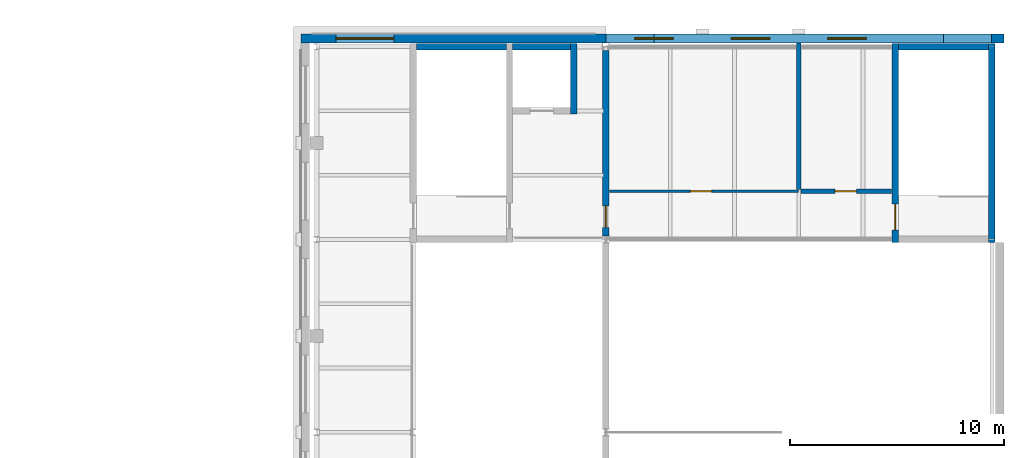
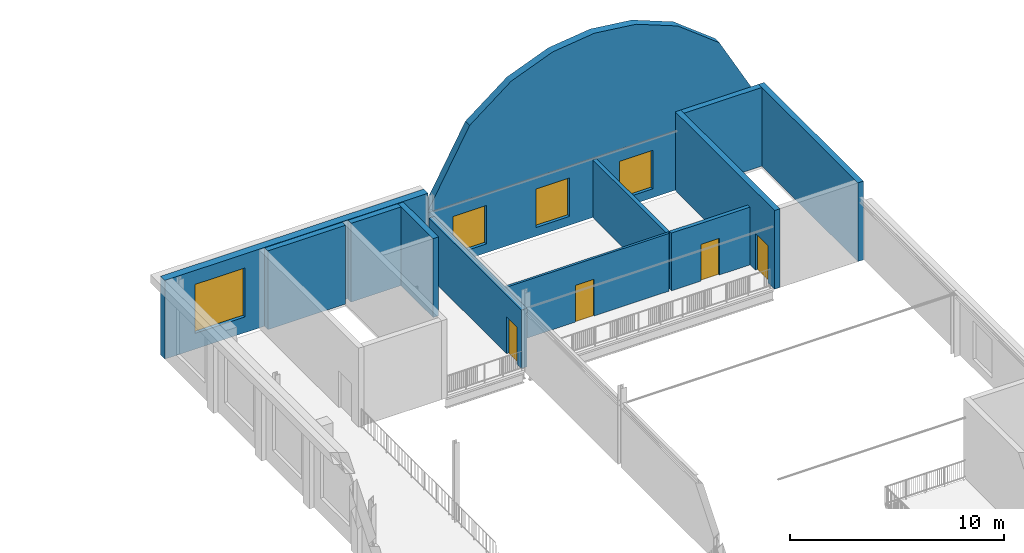
# One storey, part 29 of 59: 13 walls, 4 doors, 4 windows, 8 openings.
"""IFC4 building model written with IfcOpenShell, lengths in metres."""

from ifc_helpers import new_model, si_unit, direction, frame, frame_2d, origin, place, context, subcontext, project, spatial, polyline, rectangle, outline, extrude, material, layer, layer_set, type_object, element, fill, save


model = new_model("IFC4")

# Units and contexts
model_context = context("Model", 3, precision=1e-05, world=origin(), true_north=direction((0.0, 1.0)))
body_context = subcontext(model_context, "Body", "Model", "MODEL_VIEW")
ifc_project = project(units=[si_unit("LENGTHUNIT", "METRE"), si_unit("AREAUNIT", "SQUARE_METRE"), si_unit("VOLUMEUNIT", "CUBIC_METRE"), si_unit("PLANEANGLEUNIT", "RADIAN"), si_unit("MASSUNIT", "GRAM", prefix="KILO")], contexts=[model_context])

# Site, building, storey
site_placement = place(None, origin())
site = spatial("IfcSite", under=ifc_project, at=site_placement, CompositionType="ELEMENT")
building_placement = place(site_placement, origin())
building = spatial("IfcBuilding", under=site, at=building_placement, Name="Hortulan Conservatory and Botanical Research Centre", CompositionType="ELEMENT")
storey_placement = place(building_placement, frame((0.0, 0.0, 10.5)))
storey = spatial("IfcBuildingStorey", under=building, at=storey_placement, Name="L02", CompositionType="ELEMENT", Elevation=10.5)

# Wall, opening, door
ifc_material_1 = material(Name="Brick masonry with acoustic lining", Category="masonry")
ifc_layer_1 = layer(ifc_material_1, 0.300048828125)
ifc_layer_set_1 = layer_set([ifc_layer_1], Name="Acoustic Hall Wall 300")
wall_type_1 = type_object("IfcWallType", Name="Acoustic Hall Wall 300", PredefinedType="STANDARD", material=ifc_layer_set_1)
wall_1_placement = place(storey_placement, frame((90.0, 63.17041015625, 0.0), z_axis=(0.0, 0.0, 1.0), x_axis=(0.0, 1.0, 0.0)))
wall_1 = element("IfcWall", 1, at=wall_1_placement, inside=storey, type_object=wall_type_1, Name="Auditorium hall wall L02 159", PredefinedType="STANDARD", context=body_context, shape_type="SweptSolid", body=[
    extrude(rectangle(XDim=8.6591796875, YDim=0.300048828125, at=frame_2d((4.32958984375, 0.0))), origin(), (0.0, 0.0, 1.0), 3.346435546875),
])
opening_1_placement = place(wall_1_placement, frame((0.396240234375, 0.0, 0.0)))
opening_1 = element("IfcOpeningElement", 2, at=opening_1_placement, cuts=wall_1, Name="Opening DT6", PredefinedType="OPENING", context=body_context, shape_type="SweptSolid", body=[
    extrude(rectangle(XDim=1.0, YDim=2.10009765625, at=frame_2d((0.5, 1.050048828125))), frame((0.0, 0.159912109375, 0.0), z_axis=(0.0, -1.0, 0.0), x_axis=(1.0, 0.0, 0.0)), (0.0, 0.0, 1.0), 0.320068359375),
])
ifc_material_2 = material(Name="Steel door leaf, insulated", Category="steel")
door_type_1 = type_object("IfcDoorType", Name="Fire Door 1000x2100 FRL -/120/30", OperationType="NOTDEFINED", PredefinedType="DOOR", material=ifc_material_2)
door_1_placement = place(opening_1_placement, origin())
door_1 = element("IfcDoor", 3, at=door_1_placement, inside=storey, type_object=door_type_1, Name="Door DT6 Control Gallery Corridor to Control Gallery Lobby", OperationType="SINGLE_SWING_LEFT", OverallHeight=2.10009765625, OverallWidth=1.0, PredefinedType="DOOR", context=body_context, shape_type="SweptSolid", body=[
    extrude(rectangle(XDim=1.0, YDim=2.10009765625, at=frame_2d((0.5, 1.050048828125))), frame((0.0, 0.02490234375, 0.0), z_axis=(0.0, -1.0, 0.0), x_axis=(1.0, 0.0, 0.0)), (0.0, 0.0, 1.0), 0.050048828125),
])
fill(opening_1, door_1)

# Wall
ifc_material_3 = material(Name="Fire-rated plasterboard on steel studs", Category="steel")
ifc_layer_2 = layer(ifc_material_3, 0.199951171875)
ifc_layer_set_2 = layer_set([ifc_layer_2], Name="Compartment Partition 200")
wall_type_2 = type_object("IfcWallType", Name="Compartment Partition 200", PredefinedType="PARTITIONING", material=ifc_layer_set_2)
wall_2_placement = place(storey_placement, frame((99.0, 65.322509765625, 0.0), z_axis=(0.0, 0.0, 1.0), x_axis=(0.0, 1.0, 0.0)))
element("IfcWall", 4, at=wall_2_placement, inside=storey, type_object=wall_type_2, Name="Partition Projection and Control Room and Auditorium Plant Room L02", PredefinedType="PARTITIONING", context=body_context, shape_type="SweptSolid", body=[
    extrude(rectangle(XDim=6.846923828125, YDim=0.199951171875, at=frame_2d((3.42333984375, 0.0))), origin(), (0.0, 0.0, 1.0), 3.300048828125),
])

# Wall, opening, door
wall_3_placement = place(storey_placement, frame((99.10009765625, 65.25, 0.0), z_axis=(0.0, 0.0, 1.0), x_axis=(1.0, 0.0, 0.0)))
wall_3 = element("IfcWall", 5, at=wall_3_placement, inside=storey, type_object=wall_type_2, Name="Partition Control Gallery Corridor and Auditorium Plant Room L02", PredefinedType="PARTITIONING", context=body_context, shape_type="SweptSolid", body=[
    extrude(rectangle(XDim=4.239990234375, YDim=0.199951171875, at=frame_2d((2.1201171875, 0.0))), origin(), (0.0, 0.0, 1.0), 3.300048828125),
])
opening_2_placement = place(wall_3_placement, frame((1.588134765625, 0.0, 0.0)))
opening_2 = element("IfcOpeningElement", 6, at=opening_2_placement, cuts=wall_3, Name="Opening DT6", PredefinedType="OPENING", context=body_context, shape_type="SweptSolid", body=[
    extrude(rectangle(XDim=1.0, YDim=2.10009765625, at=frame_2d((0.5, 1.050048828125))), frame((0.0, 0.10986328125, 0.0), z_axis=(0.0, -1.0, 0.0), x_axis=(1.0, 0.0, 0.0)), (0.0, 0.0, 1.0), 0.219970703125),
])
door_2_placement = place(opening_2_placement, origin())
door_2 = element("IfcDoor", 7, at=door_2_placement, inside=storey, type_object=door_type_1, Name="Door DT6 Auditorium Plant Room to Control Gallery Corridor", OperationType="SINGLE_SWING_LEFT", OverallHeight=2.10009765625, OverallWidth=1.0, PredefinedType="DOOR", context=body_context, shape_type="SweptSolid", body=[
    extrude(rectangle(XDim=1.0, YDim=2.10009765625, at=frame_2d((0.5, 1.050048828125))), frame((0.0, 0.02490234375, 0.0), z_axis=(0.0, -1.0, 0.0), x_axis=(1.0, 0.0, 0.0)), (0.0, 0.0, 1.0), 0.050048828125),
])
fill(opening_2, door_2)

# Wall
ifc_material_4 = material(Name="Concrete N40 (40 MPa, AS 3600)", Category="concrete")
ifc_layer_3 = layer(ifc_material_4, 0.300048828125)
ifc_layer_set_3 = layer_set([ifc_layer_3], Name="Core Wall 300 N40 FRL 120/120/120")
wall_type_3 = type_object("IfcWallType", Name="Core Wall 300 N40 FRL 120/120/120", PredefinedType="SHEAR", material=ifc_layer_set_3)
wall_4_placement = place(storey_placement, frame((88.5, 68.85009765625, 0.0), z_axis=(0.0, 0.0, 1.0), x_axis=(0.0, 1.0, 0.0)))
element("IfcWall", 8, at=wall_4_placement, inside=storey, type_object=wall_type_3, Name="Reinforced concrete shaft wall", PredefinedType="SHEAR", context=body_context, shape_type="SweptSolid", body=[
    extrude(rectangle(XDim=3.2998046875, YDim=0.300048828125, at=frame_2d((1.64990234375, 0.0))), origin(), (0.0, 0.0, 1.0), 4.5),
])

# Wall, opening, door
wall_5_placement = place(storey_placement, frame((103.5, 62.85009765625, 0.0), z_axis=(0.0, 0.0, 1.0), x_axis=(0.0, 1.0, 0.0)))
wall_5 = element("IfcWall", 9, at=wall_5_placement, inside=storey, type_object=wall_type_3, Name="Reinforced concrete shaft wall", PredefinedType="SHEAR", context=body_context, shape_type="SweptSolid", body=[
    extrude(rectangle(XDim=9.2998046875, YDim=0.300048828125, at=frame_2d((4.64990234375, 0.0))), origin(), (0.0, 0.0, 1.0), 4.5),
])
opening_3_placement = place(wall_5_placement, frame((0.60009765625, 0.0, 0.0)))
opening_3 = element("IfcOpeningElement", 10, at=opening_3_placement, cuts=wall_5, Name="Opening DT5", PredefinedType="OPENING", context=body_context, shape_type="SweptSolid", body=[
    extrude(rectangle(XDim=1.199951171875, YDim=2.10009765625, at=frame_2d((0.60009765625, 1.050048828125))), frame((0.0, 0.159912109375, 0.0), z_axis=(0.0, -1.0, 0.0), x_axis=(1.0, 0.0, 0.0)), (0.0, 0.0, 1.0), 0.320068359375),
])
door_type_2 = type_object("IfcDoorType", Name="Stair Door 1200x2100 FRL -/120/30", OperationType="NOTDEFINED", PredefinedType="DOOR", material=ifc_material_2)
door_3_placement = place(opening_3_placement, frame((1.199951171875, 0.0, 0.0), z_axis=(0.0, 0.0, 1.0), x_axis=(-1.0, 0.0, 0.0)))
door_3 = element("IfcDoor", 11, at=door_3_placement, inside=storey, type_object=door_type_2, Name="Door DT5 Exit Stair A3 to Control Gallery Corridor", OperationType="SINGLE_SWING_RIGHT", OverallHeight=2.10009765625, OverallWidth=1.199951171875, PredefinedType="DOOR", context=body_context, shape_type="SweptSolid", body=[
    extrude(rectangle(XDim=1.199951171875, YDim=2.10009765625, at=frame_2d((0.60009765625, 1.050048828125))), frame((0.0, 0.02490234375, 0.0), z_axis=(0.0, -1.0, 0.0), x_axis=(1.0, 0.0, 0.0)), (0.0, 0.0, 1.0), 0.050048828125),
])
fill(opening_3, door_3)

# Walls
wall_6_placement = place(storey_placement, frame((108.0, 62.85009765625, 0.0), z_axis=(0.0, 0.0, 1.0), x_axis=(0.0, 1.0, 0.0)))
element("IfcWall", 12, at=wall_6_placement, inside=storey, type_object=wall_type_3, Name="Reinforced concrete shaft wall", PredefinedType="SHEAR", context=body_context, shape_type="SweptSolid", body=[
    extrude(rectangle(XDim=9.2998046875, YDim=0.300048828125, at=frame_2d((4.64990234375, 0.0))), origin(), (0.0, 0.0, 1.0), 4.5),
])
wall_7_placement = place(storey_placement, frame((81.14990234375, 72.0, 0.0), z_axis=(0.0, 0.0, 1.0), x_axis=(1.0, 0.0, 0.0)))
element("IfcWall", 13, at=wall_7_placement, inside=storey, type_object=wall_type_3, Name="Reinforced concrete shaft wall", PredefinedType="SHEAR", context=body_context, shape_type="SweptSolid", body=[
    extrude(rectangle(XDim=4.2001953125, YDim=0.300048828125, at=frame_2d((2.10009765625, 0.0))), origin(), (0.0, 0.0, 1.0), 4.5),
])
wall_8_placement = place(storey_placement, frame((85.64990234375, 72.0, 0.0), z_axis=(0.0, 0.0, 1.0), x_axis=(1.0, 0.0, 0.0)))
element("IfcWall", 14, at=wall_8_placement, inside=storey, type_object=wall_type_3, Name="Reinforced concrete shaft wall", PredefinedType="SHEAR", context=body_context, shape_type="SweptSolid", body=[
    extrude(rectangle(XDim=2.7001953125, YDim=0.300048828125, at=frame_2d((1.35009765625, 0.0))), origin(), (0.0, 0.0, 1.0), 4.5),
])
wall_9_placement = place(storey_placement, frame((103.64990234375, 72.0, 0.0), z_axis=(0.0, 0.0, 1.0), x_axis=(1.0, 0.0, 0.0)))
element("IfcWall", 15, at=wall_9_placement, inside=storey, type_object=wall_type_3, Name="Reinforced concrete shaft wall", PredefinedType="SHEAR", context=body_context, shape_type="SweptSolid", body=[
    extrude(rectangle(XDim=4.2001953125, YDim=0.300048828125, at=frame_2d((2.10009765625, 0.0))), origin(), (0.0, 0.0, 1.0), 4.5),
])

# Wall, opening, window
ifc_material_5 = material(Name="Faience-faced brickwork masonry", Category="masonry")
ifc_layer_4 = layer(ifc_material_5, 0.39990234375)
ifc_layer_set_4 = layer_set([ifc_layer_4], Name="Faience-faced Masonry Cavity Wall 400")
wall_type_4 = type_object("IfcWallType", Name="Faience-faced Masonry Cavity Wall 400", PredefinedType="STANDARD", material=ifc_layer_set_4)
wall_10_placement = place(storey_placement, frame((75.77490234375, 72.37939453125, 0.0), z_axis=(0.0, 0.0, 1.0), x_axis=(1.0, 0.0, 0.0)))
wall_10 = element("IfcWall", 16, at=wall_10_placement, inside=storey, type_object=wall_type_4, Name="E-EW-AUD-L02-FN3", PredefinedType="STANDARD", context=body_context, shape_type="SweptSolid", body=[
    extrude(rectangle(XDim=14.22509765625, YDim=0.39990234375, at=frame_2d((7.112548828125, 0.0))), origin(), (0.0, 0.0, 1.0), 4.5),
])
opening_4_placement = place(wall_10_placement, frame((1.625, 0.0, 0.89990234375)))
opening_4 = element("IfcOpeningElement", 17, at=opening_4_placement, cuts=wall_10, Name="Opening W9", PredefinedType="OPENING", context=body_context, shape_type="SweptSolid", body=[
    extrude(rectangle(XDim=2.699951171875, YDim=2.800048828125, at=frame_2d((1.35009765625, 1.39990234375))), frame((0.0, 0.2099609375, 0.0), z_axis=(0.0, -1.0, 0.0), x_axis=(1.0, 0.0, 0.0)), (0.0, 0.0, 1.0), 0.419921875),
])
ifc_material_6 = material(Name="Bronze-finished aluminium frame with low-e laminated double glazing", Category="aluminium")
window_type_1 = type_object("IfcWindowType", Name="Faience Window 2700x2800", PartitioningType="SINGLE_PANEL", PredefinedType="WINDOW", material=ifc_material_6)
window_1_placement = place(opening_4_placement, origin())
window_1 = element("IfcWindow", 18, at=window_1_placement, inside=storey, type_object=window_type_1, Name="Faience window", OverallHeight=2.800048828125, OverallWidth=2.699951171875, PartitioningType="SINGLE_PANEL", PredefinedType="WINDOW", context=body_context, shape_type="SweptSolid", body=[
    extrude(rectangle(XDim=2.699951171875, YDim=2.800048828125, at=frame_2d((1.35009765625, 1.39990234375))), frame((0.0, 0.030029296875, 0.0), z_axis=(0.0, -1.0, 0.0), x_axis=(1.0, 0.0, 0.0)), (0.0, 0.0, 1.0), 0.06005859375),
])
fill(opening_4, window_1)

# Wall, openings, windows
wall_11_placement = place(storey_placement, frame((90.0, 72.37939453125, 0.0), z_axis=(0.0, 0.0, 1.0), x_axis=(1.0, 0.0, 0.0)))
wall_11 = element("IfcWall", 19, at=wall_11_placement, inside=storey, type_object=wall_type_4, Name="E-EW-AUD-L02-HN2p1", PredefinedType="STANDARD", context=body_context, shape_type="SweptSolid", body=[
    extrude(rectangle(XDim=18.57958984375, YDim=0.39990234375, at=frame_2d((9.289794921875, 0.0))), origin(), (0.0, 0.0, 1.0), 3.39990234375),
])
opening_5_placement = place(wall_11_placement, frame((1.35009765625, 0.0, 0.5)))
opening_5 = element("IfcOpeningElement", 20, at=opening_5_placement, cuts=wall_11, Name="Opening W11", PredefinedType="OPENING", context=body_context, shape_type="SweptSolid", body=[
    extrude(rectangle(XDim=1.800048828125, YDim=2.199951171875, at=frame_2d((0.89990234375, 1.10009765625))), frame((0.0, 0.2099609375, 0.0), z_axis=(0.0, -1.0, 0.0), x_axis=(1.0, 0.0, 0.0)), (0.0, 0.0, 1.0), 0.419921875),
])
opening_6_placement = place(wall_11_placement, frame((5.85009765625, 0.0, 0.5)))
opening_6 = element("IfcOpeningElement", 21, at=opening_6_placement, cuts=wall_11, Name="Opening W11", PredefinedType="OPENING", context=body_context, shape_type="SweptSolid", body=[
    extrude(rectangle(XDim=1.800048828125, YDim=2.199951171875, at=frame_2d((0.89990234375, 1.10009765625))), frame((0.0, 0.2099609375, 0.0), z_axis=(0.0, -1.0, 0.0), x_axis=(1.0, 0.0, 0.0)), (0.0, 0.0, 1.0), 0.419921875),
])
opening_7_placement = place(wall_11_placement, frame((10.35009765625, 0.0, 0.5)))
opening_7 = element("IfcOpeningElement", 22, at=opening_7_placement, cuts=wall_11, Name="Opening W11", PredefinedType="OPENING", context=body_context, shape_type="SweptSolid", body=[
    extrude(rectangle(XDim=1.800048828125, YDim=2.199951171875, at=frame_2d((0.89990234375, 1.10009765625))), frame((0.0, 0.2099609375, 0.0), z_axis=(0.0, -1.0, 0.0), x_axis=(1.0, 0.0, 0.0)), (0.0, 0.0, 1.0), 0.419921875),
])
window_type_2 = type_object("IfcWindowType", Name="Arched Window 1800x2200", PartitioningType="SINGLE_PANEL", PredefinedType="WINDOW", material=ifc_material_6)
window_2_placement = place(opening_5_placement, origin())
window_2 = element("IfcWindow", 23, at=window_2_placement, inside=storey, type_object=window_type_2, Name="Arched window", OverallHeight=2.199951171875, OverallWidth=1.800048828125, PartitioningType="SINGLE_PANEL", PredefinedType="WINDOW", context=body_context, shape_type="SweptSolid", body=[
    extrude(rectangle(XDim=1.800048828125, YDim=2.199951171875, at=frame_2d((0.89990234375, 1.10009765625))), frame((0.0, 0.030029296875, 0.0), z_axis=(0.0, -1.0, 0.0), x_axis=(1.0, 0.0, 0.0)), (0.0, 0.0, 1.0), 0.06005859375),
])
fill(opening_5, window_2)
window_3_placement = place(opening_6_placement, origin())
window_3 = element("IfcWindow", 24, at=window_3_placement, inside=storey, type_object=window_type_2, Name="Arched window", OverallHeight=2.199951171875, OverallWidth=1.800048828125, PartitioningType="SINGLE_PANEL", PredefinedType="WINDOW", context=body_context, shape_type="SweptSolid", body=[
    extrude(rectangle(XDim=1.800048828125, YDim=2.199951171875, at=frame_2d((0.89990234375, 1.10009765625))), frame((0.0, 0.030029296875, 0.0), z_axis=(0.0, -1.0, 0.0), x_axis=(1.0, 0.0, 0.0)), (0.0, 0.0, 1.0), 0.06005859375),
])
fill(opening_6, window_3)
window_4_placement = place(opening_7_placement, origin())
window_4 = element("IfcWindow", 25, at=window_4_placement, inside=storey, type_object=window_type_2, Name="Arched window", OverallHeight=2.199951171875, OverallWidth=1.800048828125, PartitioningType="SINGLE_PANEL", PredefinedType="WINDOW", context=body_context, shape_type="SweptSolid", body=[
    extrude(rectangle(XDim=1.800048828125, YDim=2.199951171875, at=frame_2d((0.89990234375, 1.10009765625))), frame((0.0, 0.030029296875, 0.0), z_axis=(0.0, -1.0, 0.0), x_axis=(1.0, 0.0, 0.0)), (0.0, 0.0, 1.0), 0.06005859375),
])
fill(opening_7, window_4)

# Wall
wall_12_placement = place(storey_placement, frame((90.0, 72.37939453125, 3.39990234375), z_axis=(0.0, 0.0, 1.0), x_axis=(1.0, 0.0, 0.0)))
element("IfcWall", 26, at=wall_12_placement, inside=storey, type_object=wall_type_4, Name="Gable wall", PredefinedType="STANDARD", context=body_context, shape_type="SweptSolid", body=[
    extrude(outline(polyline([(0.0, 0.0), (18.0, 0.0), (18.0, 0.10009765625), (15.75, 4.191162109375), (13.5, 5.93701171875), (11.25, 6.823486328125), (9.0, 7.10009765625), (6.75, 6.823486328125), (4.5, 5.93701171875), (2.25, 4.191162109375), (0.0, 0.10009765625), (0.0, 0.0)])), frame((0.0, 0.199951171875, 0.0), z_axis=(0.0, -1.0, 0.0), x_axis=(1.0, 0.0, 0.0)), (0.0, 0.0, 1.0), 0.39990234375),
])

# Wall, opening, door
ifc_material_7 = material(Name="Plasterboard on steel studs", Category="steel")
ifc_layer_5 = layer(ifc_material_7, 0.125)
ifc_layer_set_5 = layer_set([ifc_layer_5], Name="Partition 125")
wall_type_5 = type_object("IfcWallType", Name="Partition 125", PredefinedType="PARTITIONING", material=ifc_layer_set_5)
wall_13_placement = place(storey_placement, frame((90.159912109375, 65.25, 0.0), z_axis=(0.0, 0.0, 1.0), x_axis=(1.0, 0.0, 0.0)))
wall_13 = element("IfcWall", 27, at=wall_13_placement, inside=storey, type_object=wall_type_5, Name="Partition Control Gallery Corridor and Projection and Control Room L02", PredefinedType="PARTITIONING", context=body_context, shape_type="SweptSolid", body=[
    extrude(rectangle(XDim=8.840087890625, YDim=0.125, at=frame_2d((4.419921875, 0.0))), origin(), (0.0, 0.0, 1.0), 3.300048828125),
])
opening_8_placement = place(wall_13_placement, frame((3.777587890625, 0.0, 0.0)))
opening_8 = element("IfcOpeningElement", 28, at=opening_8_placement, cuts=wall_13, Name="Opening DT1", PredefinedType="OPENING", context=body_context, shape_type="SweptSolid", body=[
    extrude(rectangle(XDim=1.0, YDim=2.10009765625, at=frame_2d((0.5, 1.050048828125))), frame((0.0, 0.072509765625, 0.0), z_axis=(0.0, -1.0, 0.0), x_axis=(1.0, 0.0, 0.0)), (0.0, 0.0, 1.0), 0.14501953125),
])
ifc_material_8 = material(Name="Timber door leaf in timber frame", Category="wood")
door_type_3 = type_object("IfcDoorType", Name="Single Door 1000x2100", OperationType="NOTDEFINED", PredefinedType="DOOR", material=ifc_material_8)
door_4_placement = place(opening_8_placement, origin())
door_4 = element("IfcDoor", 29, at=door_4_placement, inside=storey, type_object=door_type_3, Name="Door DT1 Projection and Control Room to Control Gallery Corridor", OperationType="SINGLE_SWING_LEFT", OverallHeight=2.10009765625, OverallWidth=1.0, PredefinedType="DOOR", context=body_context, shape_type="SweptSolid", body=[
    extrude(rectangle(XDim=1.0, YDim=2.10009765625, at=frame_2d((0.5, 1.050048828125))), frame((0.0, 0.02490234375, 0.0), z_axis=(0.0, -1.0, 0.0), x_axis=(1.0, 0.0, 0.0)), (0.0, 0.0, 1.0), 0.050048828125),
])
fill(opening_8, door_4)

save(model, "model.ifc")
